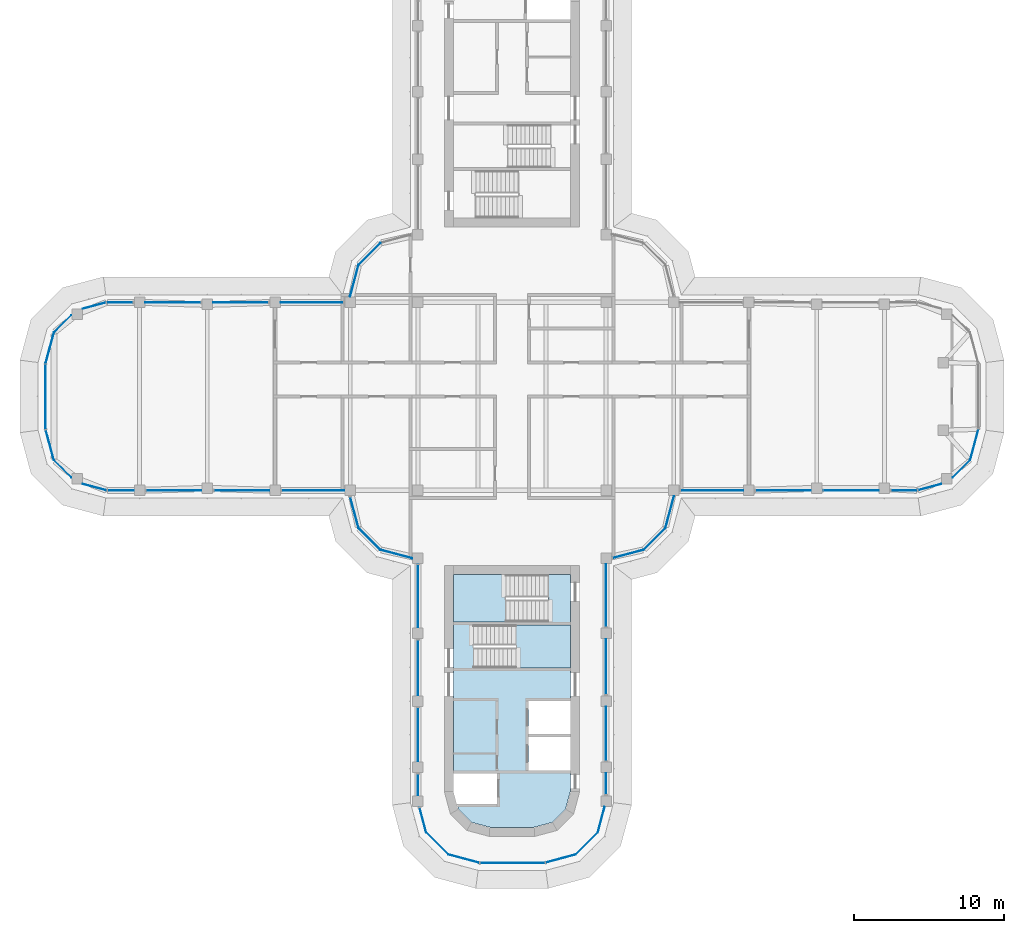
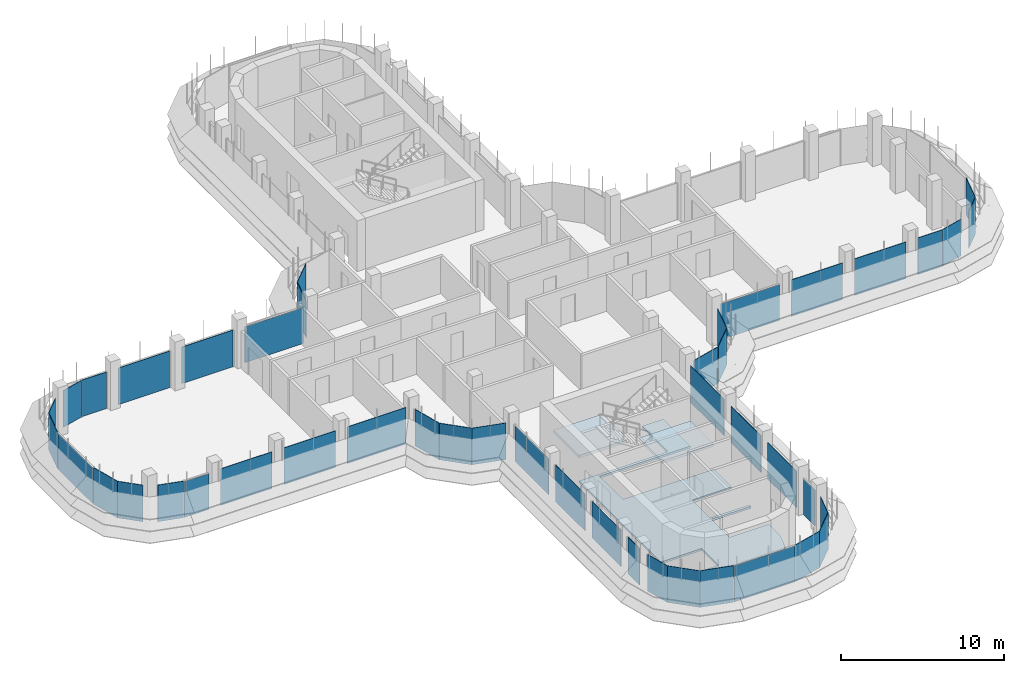
# One storey, part 11 of 18: 45 plates, 3 slabs, 32 elements without a shape of their own.
"""IFC4 building model written with IfcOpenShell, lengths in metres."""

from ifc_helpers import new_model, si_unit, direction, frame, origin, place, context, subcontext, project, spatial, polyline, outline, extrude, source, transform, mapped, material, layer, layer_set, type_object, element, aggregate, save


model = new_model("IFC4")

# Units and contexts
model_context = context("Model", 3, precision=1e-05, world=origin(), true_north=direction((0.0, 1.0)))
body_context = subcontext(model_context, "Body", "Model", "MODEL_VIEW")
ifc_project = project(units=[si_unit("LENGTHUNIT", "METRE"), si_unit("AREAUNIT", "SQUARE_METRE"), si_unit("VOLUMEUNIT", "CUBIC_METRE"), si_unit("PLANEANGLEUNIT", "RADIAN"), si_unit("MASSUNIT", "GRAM", prefix="KILO")], contexts=[model_context])

# Site, building, storey
site_placement = place(None, origin())
site = spatial("IfcSite", under=ifc_project, at=site_placement, CompositionType="ELEMENT")
building_placement = place(site_placement, origin())
building = spatial("IfcBuilding", under=site, at=building_placement, Name="Zarbagh Exchange Tower", CompositionType="ELEMENT")
storey_placement = place(building_placement, frame((0.0, 0.0, 210.60009765625)))
storey = spatial("IfcBuildingStorey", under=building, at=storey_placement, Name="L51", CompositionType="ELEMENT", Elevation=210.60009765625)

# Slab
ifc_material_1 = material(Name="Concrete C40/50", Category="concrete")
ifc_layer_1 = layer(ifc_material_1, 0.14990234375)
ifc_layer_set_1 = layer_set([ifc_layer_1], Name="Core floor slab 150 C40/50")
slab_type_1 = type_object("IfcSlabType", Name="Core floor slab 150 C40/50", PredefinedType="FLOOR", material=ifc_layer_set_1)
slab_1_placement = place(storey_placement, frame((0.0, 0.0, -0.150146484375)))
element("IfcSlab", 1, at=slab_1_placement, inside=storey, type_object=slab_type_1, Name="S17 core S", PredefinedType="FLOOR", context=body_context, shape_type="SweptSolid", body=[
    extrude(outline(polyline([(-2.689453125, -28.31005859375), (-3.56005859375, -27.439453125), (-3.651123046875, -27.10009765625), (-1.0, -27.10009765625), (-1.0, -25.050048828125), (-3.89990234375, -25.050048828125), (-3.89990234375, -15.0), (2.39990234375, -15.0), (2.39990234375, -11.85009765625), (3.89990234375, -11.85009765625), (3.89990234375, -15.199951171875), (-2.550048828125, -15.199951171875), (-2.550048828125, -18.050048828125), (3.89990234375, -18.050048828125), (3.89990234375, -20.25), (1.10009765625, -20.25), (1.10009765625, -22.449951171875), (3.89990234375, -22.449951171875), (3.89990234375, -22.64990234375), (1.10009765625, -22.64990234375), (1.10009765625, -24.85009765625), (3.89990234375, -24.85009765625), (3.89990234375, -26.1708984375), (3.56005859375, -27.439453125), (2.689453125, -28.31005859375), (1.4208984375, -28.64990234375), (-1.4208984375, -28.64990234375), (-2.689453125, -28.31005859375)])), origin(), (0.0, 0.0, 1.0), 0.150146484375),
])

# Stair, slab
stair_type = type_object("IfcStairType", Name="Exit stair two-flight half-turn", PredefinedType="HALF_TURN_STAIR", material=ifc_material_1)
stair_1_placement = place(storey_placement, origin())
stair_1 = element("IfcStair", 2, at=stair_1_placement, inside=storey, type_object=stair_type, Name="exit stair ST3", PredefinedType="HALF_TURN_STAIR")
ifc_layer_2 = layer(ifc_material_1, 0.199951171875)
ifc_layer_set_2 = layer_set([ifc_layer_2], Name="Stair landing 200 mm")
slab_type_2 = type_object("IfcSlabType", Name="Stair landing 200 mm", PredefinedType="LANDING", material=ifc_layer_set_2)
slab_2_placement = place(storey_placement, frame((0.0, 0.0, 1.699951171875)))
slab_2 = element("IfcSlab", 3, at=slab_2_placement, type_object=slab_type_2, Name="ST3 landing 1", PredefinedType="LANDING", context=body_context, shape_type="SweptSolid", body=[
    extrude(outline(polyline([(0.25, -18.050048828125), (3.89990234375, -18.050048828125), (3.89990234375, -15.199951171875), (0.25, -15.199951171875), (0.25, -18.050048828125)])), origin(), (0.0, 0.0, 1.0), 0.199951171875),
])
aggregate(stair_1, [slab_2])

stair_2_placement = place(storey_placement, origin())
stair_2 = element("IfcStair", 4, at=stair_2_placement, inside=storey, type_object=stair_type, Name="exit stair ST4", PredefinedType="HALF_TURN_STAIR")
slab_3_placement = place(storey_placement, frame((0.0, 0.0, 1.699951171875)))
slab_3 = element("IfcSlab", 5, at=slab_3_placement, type_object=slab_type_2, Name="ST4 landing 1", PredefinedType="LANDING", context=body_context, shape_type="SweptSolid", body=[
    extrude(outline(polyline([(-0.39990234375, -11.85009765625), (-3.89990234375, -11.85009765625), (-3.89990234375, -15.0), (-0.39990234375, -15.0), (-0.39990234375, -11.85009765625)])), origin(), (0.0, 0.0, 1.0), 0.199951171875),
])
aggregate(stair_2, [slab_3])

# Curtain wall, plate
ifc_material_2 = material(Name="Anodised aluminium frame and glazing", Category="aluminium")
curtain_wall_type = type_object("IfcCurtainWallType", Name="CWB Ribbon glazing, upper zones", PredefinedType="NOTDEFINED", material=ifc_material_2)
curtain_wall_1_placement = place(storey_placement, origin())
curtain_wall_1 = element("IfcCurtainWall", 6, at=curtain_wall_1_placement, inside=storey, type_object=curtain_wall_type, Name="CWB50 curtain wall", PredefinedType="NOTDEFINED")
ifc_material_3 = material(Name="Low-e double glazed unit, 6+12+6 mm")
ifc_layer_3 = layer(ifc_material_3, 0.031982421875)
ifc_layer_set_3 = layer_set([ifc_layer_3], Name="PAB Glazing panel, Low-e double glazed unit, 6+12+6 mm")
plate_type = type_object("IfcPlateType", Name="PAB Glazing panel, Low-e double glazed unit, 6+12+6 mm", PredefinedType="CURTAIN_PANEL", material=ifc_layer_set_3)
shared_shape_1 = source(origin(), body_context, "Body", "SweptSolid", [
    extrude(outline(polyline([(0.0, -0.01611328125), (2.061279296875, -0.01611328125), (2.061279296875, 0.01611328125), (0.0, 0.01611328125), (0.0, -0.01611328125)])), origin(), (0.0, 0.0, 1.0), 2.75),
])
placement = place(storey_placement, origin())
plate_1 = element("IfcPlate", 7, at=placement, type_object=plate_type, Name="CWB50 glazing panel 1.1", PredefinedType="CURTAIN_PANEL", context=body_context, shape_type="MappedRepresentation", body=[
    mapped(shared_shape_1, transform((4.2412109375, -30.44873046875, 0.0), x_axis=(0.707106781187, 0.707106781187, 0.0), y_axis=(-0.707106781187, 0.707106781187, 0.0), z_axis=(0.0, 0.0, 1.0))),
])
aggregate(curtain_wall_1, [plate_1])

curtain_wall_2_placement = place(storey_placement, origin())
curtain_wall_2 = element("IfcCurtainWall", 8, at=curtain_wall_2_placement, inside=storey, type_object=curtain_wall_type, Name="CWB06 curtain wall", PredefinedType="NOTDEFINED")
plate_2 = element("IfcPlate", 9, at=placement, type_object=plate_type, Name="CWB06 glazing panel 1.1", PredefinedType="CURTAIN_PANEL", context=body_context, shape_type="MappedRepresentation", body=[
    mapped(shared_shape_1, transform((8.7412109375, -10.19873046875, 0.0), x_axis=(0.707106781187, 0.707106781187, 0.0), y_axis=(-0.707106781187, 0.707106781187, 0.0), z_axis=(0.0, 0.0, 1.0))),
])
aggregate(curtain_wall_2, [plate_2])

curtain_wall_3_placement = place(storey_placement, origin())
curtain_wall_3 = element("IfcCurtainWall", 10, at=curtain_wall_3_placement, inside=storey, type_object=curtain_wall_type, Name="CWB30 curtain wall", PredefinedType="NOTDEFINED")
plate_3 = element("IfcPlate", 11, at=placement, type_object=plate_type, Name="CWB30 glazing panel 1.1", PredefinedType="CURTAIN_PANEL", context=body_context, shape_type="MappedRepresentation", body=[
    mapped(shared_shape_1, transform((-8.7412109375, 10.19873046875, 0.0), x_axis=(-0.707106781187, -0.707106781187, 0.0), y_axis=(0.707106781187, -0.707106781187, 0.0), z_axis=(0.0, 0.0, 1.0))),
])
aggregate(curtain_wall_3, [plate_3])

curtain_wall_4_placement = place(storey_placement, origin())
curtain_wall_4 = element("IfcCurtainWall", 12, at=curtain_wall_4_placement, inside=storey, type_object=curtain_wall_type, Name="CWB42 curtain wall", PredefinedType="NOTDEFINED")
plate_4 = element("IfcPlate", 13, at=placement, type_object=plate_type, Name="CWB42 glazing panel 1.1", PredefinedType="CURTAIN_PANEL", context=body_context, shape_type="MappedRepresentation", body=[
    mapped(shared_shape_1, transform((-10.19873046875, -8.7412109375, 0.0), x_axis=(0.707106781187, -0.707106781187, 0.0), y_axis=(0.707106781187, 0.707106781187, 0.0), z_axis=(0.0, 0.0, 1.0))),
])
aggregate(curtain_wall_4, [plate_4])

curtain_wall_5_placement = place(storey_placement, origin())
curtain_wall_5 = element("IfcCurtainWall", 14, at=curtain_wall_5_placement, inside=storey, type_object=curtain_wall_type, Name="CWB55 curtain wall", PredefinedType="NOTDEFINED")
plate_5 = element("IfcPlate", 15, at=placement, type_object=plate_type, Name="CWB55 glazing panel 1.1", PredefinedType="CURTAIN_PANEL", context=body_context, shape_type="MappedRepresentation", body=[
    mapped(shared_shape_1, transform((-5.69873046875, -28.9912109375, 0.0), x_axis=(0.707106781187, -0.707106781187, 0.0), y_axis=(0.707106781187, 0.707106781187, 0.0), z_axis=(0.0, 0.0, 1.0))),
])
aggregate(curtain_wall_5, [plate_5])

curtain_wall_6_placement = place(storey_placement, origin())
curtain_wall_6 = element("IfcCurtainWall", 16, at=curtain_wall_6_placement, inside=storey, type_object=curtain_wall_type, Name="CWB11 curtain wall", PredefinedType="NOTDEFINED")
shared_shape_2 = source(origin(), body_context, "Body", "SweptSolid", [
    extrude(outline(polyline([(0.0, -0.01611328125), (2.129638671875, -0.01611328125), (2.129638671875, 0.01611328125), (0.0, 0.01611328125), (0.0, -0.01611328125)])), origin(), (0.0, 0.0, 1.0), 2.75),
])
plate_6 = element("IfcPlate", 17, at=placement, type_object=plate_type, Name="CWB11 glazing panel 1.1", PredefinedType="CURTAIN_PANEL", context=body_context, shape_type="MappedRepresentation", body=[
    mapped(shared_shape_2, transform((30.44873046875, -4.2412109375, 0.0), x_axis=(0.258824779902, 0.965924289636, 0.0), y_axis=(-0.965924289636, 0.258824779902, 0.0), z_axis=(0.0, 0.0, 1.0))),
])
aggregate(curtain_wall_6, [plate_6])

curtain_wall_7_placement = place(storey_placement, origin())
curtain_wall_7 = element("IfcCurtainWall", 18, at=curtain_wall_7_placement, inside=storey, type_object=curtain_wall_type, Name="CWB61 curtain wall", PredefinedType="NOTDEFINED")
plate_7 = element("IfcPlate", 19, at=placement, type_object=plate_type, Name="CWB61 glazing panel 1.1", PredefinedType="CURTAIN_PANEL", context=body_context, shape_type="MappedRepresentation", body=[
    mapped(shared_shape_2, transform((-30.44873046875, 4.2412109375, 0.0), x_axis=(-0.258824779902, -0.965924289636, 0.0), y_axis=(0.965924289636, -0.258824779902, 0.0), z_axis=(0.0, 0.0, 1.0))),
])
aggregate(curtain_wall_7, [plate_7])

curtain_wall_8_placement = place(storey_placement, origin())
curtain_wall_8 = element("IfcCurtainWall", 20, at=curtain_wall_8_placement, inside=storey, type_object=curtain_wall_type, Name="CWB56 curtain wall", PredefinedType="NOTDEFINED")
plate_8 = element("IfcPlate", 21, at=placement, type_object=plate_type, Name="CWB56 glazing panel 1.1", PredefinedType="CURTAIN_PANEL", context=body_context, shape_type="MappedRepresentation", body=[
    mapped(shared_shape_2, transform((-4.2412109375, -30.44873046875, 0.0), x_axis=(0.965924289636, -0.258824779902, 0.0), y_axis=(0.258824779902, 0.965924289636, 0.0), z_axis=(0.0, 0.0, 1.0))),
])
aggregate(curtain_wall_8, [plate_8])

curtain_wall_9_placement = place(storey_placement, origin())
curtain_wall_9 = element("IfcCurtainWall", 22, at=curtain_wall_9_placement, inside=storey, type_object=curtain_wall_type, Name="CWB52 curtain wall", PredefinedType="NOTDEFINED")
shared_shape_3 = source(origin(), body_context, "Body", "SweptSolid", [
    extrude(outline(polyline([(0.0, -0.01611328125), (3.56005859375, -0.01611328125), (3.56005859375, 0.01611328125), (0.0, 0.01611328125), (0.0, -0.01611328125)])), origin(), (0.0, 0.0, 1.0), 2.75),
])
plate_9 = element("IfcPlate", 23, at=placement, type_object=plate_type, Name="CWB52 glazing panel 2.1", PredefinedType="CURTAIN_PANEL", context=body_context, shape_type="MappedRepresentation", body=[
    mapped(shared_shape_3, transform((6.25, -24.199951171875, 0.0), x_axis=(0.0, 1.0, 0.0), y_axis=(-1.0, 0.0, 0.0), z_axis=(0.0, 0.0, 1.0))),
])

curtain_wall_10_placement = place(storey_placement, origin())
curtain_wall_10 = element("IfcCurtainWall", 24, at=curtain_wall_10_placement, inside=storey, type_object=curtain_wall_type, Name="CWB53 curtain wall", PredefinedType="NOTDEFINED")
plate_10 = element("IfcPlate", 25, at=placement, type_object=plate_type, Name="CWB53 glazing panel 3.1", PredefinedType="CURTAIN_PANEL", context=body_context, shape_type="MappedRepresentation", body=[
    mapped(shared_shape_3, transform((-6.25, -20.699951171875, 0.0), x_axis=(0.0, -1.0, 0.0), y_axis=(1.0, 0.0, 0.0), z_axis=(0.0, 0.0, 1.0))),
])

curtain_wall_11_placement = place(storey_placement, origin())
curtain_wall_11 = element("IfcCurtainWall", 26, at=curtain_wall_11_placement, inside=storey, type_object=curtain_wall_type, Name="CWB66 curtain wall", PredefinedType="NOTDEFINED")
shared_shape_4 = source(origin(), body_context, "Body", "SweptSolid", [
    extrude(outline(polyline([(0.0, -0.01611328125), (4.308349609375, -0.01611328125), (4.308349609375, 0.01611328125), (0.0, 0.01611328125), (0.0, -0.01611328125)])), origin(), (0.0, 0.0, 1.0), 2.68994140625),
])
plate_11 = element("IfcPlate", 27, at=placement, type_object=plate_type, Name="CWB66 glazing panel 1.1", PredefinedType="CURTAIN_PANEL", context=body_context, shape_type="MappedRepresentation", body=[
    mapped(shared_shape_4, transform((-31.0, 2.124267578125, 0.0), x_axis=(0.0, -1.0, 0.0), y_axis=(1.0, 0.0, 0.0), z_axis=(0.0, 0.0, 1.0))),
])
aggregate(curtain_wall_11, [plate_11])

curtain_wall_12_placement = place(storey_placement, origin())
curtain_wall_12 = element("IfcCurtainWall", 28, at=curtain_wall_12_placement, inside=storey, type_object=curtain_wall_type, Name="CWB57 curtain wall", PredefinedType="NOTDEFINED")
plate_12 = element("IfcPlate", 29, at=placement, type_object=plate_type, Name="CWB57 glazing panel 1.1", PredefinedType="CURTAIN_PANEL", context=body_context, shape_type="MappedRepresentation", body=[
    mapped(shared_shape_4, transform((-2.124267578125, -31.0, 0.0), x_axis=(1.0, 0.0, 0.0), y_axis=(0.0, 1.0, 0.0), z_axis=(0.0, 0.0, 1.0))),
])
aggregate(curtain_wall_12, [plate_12])

curtain_wall_13_placement = place(storey_placement, origin())
curtain_wall_13 = element("IfcCurtainWall", 30, at=curtain_wall_13_placement, inside=storey, type_object=curtain_wall_type, Name="CWB49 curtain wall", PredefinedType="NOTDEFINED")
shared_shape_5 = source(origin(), body_context, "Body", "SweptSolid", [
    extrude(outline(polyline([(0.0, -0.01611328125), (2.069580078125, -0.01611328125), (2.069580078125, 0.01611328125), (0.0, 0.01611328125), (0.0, -0.01611328125)])), origin(), (0.0, 0.0, 1.0), 2.75),
])
plate_13 = element("IfcPlate", 31, at=placement, type_object=plate_type, Name="CWB49 glazing panel 1.1", PredefinedType="CURTAIN_PANEL", context=body_context, shape_type="MappedRepresentation", body=[
    mapped(shared_shape_5, transform((2.2421875, -30.984375, 0.0), x_axis=(0.965924289636, 0.258824779902, 0.0), y_axis=(-0.258824779902, 0.965924289636, 0.0), z_axis=(0.0, 0.0, 1.0))),
])
aggregate(curtain_wall_13, [plate_13])

curtain_wall_14_placement = place(storey_placement, origin())
curtain_wall_14 = element("IfcCurtainWall", 32, at=curtain_wall_14_placement, inside=storey, type_object=curtain_wall_type, Name="CWB62 curtain wall", PredefinedType="NOTDEFINED")
plate_14 = element("IfcPlate", 33, at=placement, type_object=plate_type, Name="CWB62 glazing panel 1.1", PredefinedType="CURTAIN_PANEL", context=body_context, shape_type="MappedRepresentation", body=[
    mapped(shared_shape_5, transform((-30.984375, -2.2421875, 0.0), x_axis=(0.258824779902, -0.965924289636, 0.0), y_axis=(0.965924289636, 0.258824779902, 0.0), z_axis=(0.0, 0.0, 1.0))),
])
aggregate(curtain_wall_14, [plate_14])

curtain_wall_15_placement = place(storey_placement, origin())
curtain_wall_15 = element("IfcCurtainWall", 34, at=curtain_wall_15_placement, inside=storey, type_object=curtain_wall_type, Name="CWB51 curtain wall", PredefinedType="NOTDEFINED")
shared_shape_6 = source(origin(), body_context, "Body", "SweptSolid", [
    extrude(outline(polyline([(0.0, -0.01611328125), (1.76123046875, -0.01611328125), (1.76123046875, 0.01611328125), (0.0, 0.01611328125), (0.0, -0.01611328125)])), origin(), (0.0, 0.0, 1.0), 2.75),
])
plate_15 = element("IfcPlate", 35, at=placement, type_object=plate_type, Name="CWB51 glazing panel 1.1", PredefinedType="CURTAIN_PANEL", context=body_context, shape_type="MappedRepresentation", body=[
    mapped(shared_shape_6, transform((5.69873046875, -28.9912109375, 0.0), x_axis=(0.258824779902, 0.965924289636, 0.0), y_axis=(-0.965924289636, 0.258824779902, 0.0), z_axis=(0.0, 0.0, 1.0))),
])
aggregate(curtain_wall_15, [plate_15])

# Plate
shared_shape_7 = source(origin(), body_context, "Body", "SweptSolid", [
    extrude(outline(polyline([(0.0, -0.01611328125), (1.409912109375, -0.01611328125), (1.409912109375, 0.01611328125), (0.0, 0.01611328125), (0.0, -0.01611328125)])), origin(), (0.0, 0.0, 1.0), 2.68994140625),
])
plate_16 = element("IfcPlate", 36, at=placement, type_object=plate_type, Name="CWB52 glazing panel 1.1", PredefinedType="CURTAIN_PANEL", context=body_context, shape_type="MappedRepresentation", body=[
    mapped(shared_shape_7, transform((6.25, -26.449951171875, 0.0), x_axis=(0.0, 1.0, 0.0), y_axis=(-1.0, 0.0, 0.0), z_axis=(0.0, 0.0, 1.0))),
])

shared_shape_8 = source(origin(), body_context, "Body", "SweptSolid", [
    extrude(outline(polyline([(0.0, -0.01611328125), (3.659912109375, -0.01611328125), (3.659912109375, 0.01611328125), (0.0, 0.01611328125), (0.0, -0.01611328125)])), origin(), (0.0, 0.0, 1.0), 2.75),
])
plate_17 = element("IfcPlate", 37, at=placement, type_object=plate_type, Name="CWB52 glazing panel 3.1", PredefinedType="CURTAIN_PANEL", context=body_context, shape_type="MappedRepresentation", body=[
    mapped(shared_shape_8, transform((6.25, -19.800048828125, 0.0), x_axis=(0.0, 1.0, 0.0), y_axis=(-1.0, 0.0, 0.0), z_axis=(0.0, 0.0, 1.0))),
])

# Curtain wall, plates
curtain_wall_16_placement = place(storey_placement, origin())
curtain_wall_16 = element("IfcCurtainWall", 38, at=curtain_wall_16_placement, inside=storey, type_object=curtain_wall_type, Name="CWB08 curtain wall", PredefinedType="NOTDEFINED")
plate_18 = element("IfcPlate", 39, at=placement, type_object=plate_type, Name="CWB08 glazing panel 2.1", PredefinedType="CURTAIN_PANEL", context=body_context, shape_type="MappedRepresentation", body=[
    mapped(shared_shape_8, transform((16.199951171875, -6.25, 0.0), x_axis=(1.0, 0.0, 0.0), y_axis=(0.0, 1.0, 0.0), z_axis=(0.0, 0.0, 1.0))),
])
plate_19 = element("IfcPlate", 40, at=placement, type_object=plate_type, Name="CWB08 glazing panel 3.1", PredefinedType="CURTAIN_PANEL", context=body_context, shape_type="MappedRepresentation", body=[
    mapped(shared_shape_8, transform((20.699951171875, -6.25, 0.0), x_axis=(1.0, 0.0, 0.0), y_axis=(0.0, 1.0, 0.0), z_axis=(0.0, 0.0, 1.0))),
])

curtain_wall_17_placement = place(storey_placement, origin())
curtain_wall_17 = element("IfcCurtainWall", 41, at=curtain_wall_17_placement, inside=storey, type_object=curtain_wall_type, Name="CWB58 curtain wall", PredefinedType="NOTDEFINED")
plate_20 = element("IfcPlate", 42, at=placement, type_object=plate_type, Name="CWB58 glazing panel 2.1", PredefinedType="CURTAIN_PANEL", context=body_context, shape_type="MappedRepresentation", body=[
    mapped(shared_shape_8, transform((-16.199951171875, 6.25, 0.0), x_axis=(-1.0, 0.0, 0.0), y_axis=(0.0, -1.0, 0.0), z_axis=(0.0, 0.0, 1.0))),
])
plate_21 = element("IfcPlate", 43, at=placement, type_object=plate_type, Name="CWB58 glazing panel 3.1", PredefinedType="CURTAIN_PANEL", context=body_context, shape_type="MappedRepresentation", body=[
    mapped(shared_shape_8, transform((-20.699951171875, 6.25, 0.0), x_axis=(-1.0, 0.0, 0.0), y_axis=(0.0, -1.0, 0.0), z_axis=(0.0, 0.0, 1.0))),
])

curtain_wall_18_placement = place(storey_placement, origin())
curtain_wall_18 = element("IfcCurtainWall", 44, at=curtain_wall_18_placement, inside=storey, type_object=curtain_wall_type, Name="CWB65 curtain wall", PredefinedType="NOTDEFINED")
plate_22 = element("IfcPlate", 45, at=placement, type_object=plate_type, Name="CWB65 glazing panel 2.1", PredefinedType="CURTAIN_PANEL", context=body_context, shape_type="MappedRepresentation", body=[
    mapped(shared_shape_8, transform((-24.300048828125, -6.25, 0.0), x_axis=(1.0, 0.0, 0.0), y_axis=(0.0, 1.0, 0.0), z_axis=(0.0, 0.0, 1.0))),
])
plate_23 = element("IfcPlate", 46, at=placement, type_object=plate_type, Name="CWB65 glazing panel 3.1", PredefinedType="CURTAIN_PANEL", context=body_context, shape_type="MappedRepresentation", body=[
    mapped(shared_shape_8, transform((-19.800048828125, -6.25, 0.0), x_axis=(1.0, 0.0, 0.0), y_axis=(0.0, 1.0, 0.0), z_axis=(0.0, 0.0, 1.0))),
])

# Plate
plate_24 = element("IfcPlate", 47, at=placement, type_object=plate_type, Name="CWB53 glazing panel 2.1", PredefinedType="CURTAIN_PANEL", context=body_context, shape_type="MappedRepresentation", body=[
    mapped(shared_shape_8, transform((-6.25, -16.199951171875, 0.0), x_axis=(0.0, -1.0, 0.0), y_axis=(1.0, 0.0, 0.0), z_axis=(0.0, 0.0, 1.0))),
])

shared_shape_9 = source(origin(), body_context, "Body", "SweptSolid", [
    extrude(outline(polyline([(0.0, -0.01611328125), (4.159912109375, -0.01611328125), (4.159912109375, 0.01611328125), (0.0, 0.01611328125), (0.0, -0.01611328125)])), origin(), (0.0, 0.0, 1.0), 2.75),
])
plate_25 = element("IfcPlate", 48, at=placement, type_object=plate_type, Name="CWB52 glazing panel 4.1", PredefinedType="CURTAIN_PANEL", context=body_context, shape_type="MappedRepresentation", body=[
    mapped(shared_shape_9, transform((6.25, -15.300048828125, 0.0), x_axis=(0.0, 1.0, 0.0), y_axis=(-1.0, 0.0, 0.0), z_axis=(0.0, 0.0, 1.0))),
])

aggregate(curtain_wall_9, [plate_16, plate_9, plate_17, plate_25])

plate_26 = element("IfcPlate", 49, at=placement, type_object=plate_type, Name="CWB65 glazing panel 4.1", PredefinedType="CURTAIN_PANEL", context=body_context, shape_type="MappedRepresentation", body=[
    mapped(shared_shape_9, transform((-15.300048828125, -6.25, 0.0), x_axis=(1.0, 0.0, 0.0), y_axis=(0.0, 1.0, 0.0), z_axis=(0.0, 0.0, 1.0))),
])

# Curtain wall, plate
curtain_wall_19_placement = place(storey_placement, origin())
curtain_wall_19 = element("IfcCurtainWall", 50, at=curtain_wall_19_placement, inside=storey, type_object=curtain_wall_type, Name="CWB05 curtain wall", PredefinedType="NOTDEFINED")
shared_shape_10 = source(origin(), body_context, "Body", "SweptSolid", [
    extrude(outline(polyline([(0.0, -0.01611328125), (2.115234375, -0.01611328125), (2.115234375, 0.01611328125), (0.0, 0.01611328125), (0.0, -0.01611328125)])), origin(), (0.0, 0.0, 1.0), 2.75),
])
plate_27 = element("IfcPlate", 51, at=placement, type_object=plate_type, Name="CWB05 glazing panel 1.1", PredefinedType="CURTAIN_PANEL", context=body_context, shape_type="MappedRepresentation", body=[
    mapped(shared_shape_10, transform((6.697998046875, -10.746337890625, 0.0), x_axis=(0.965924289636, 0.258824779902, 0.0), y_axis=(-0.258824779902, 0.965924289636, 0.0), z_axis=(0.0, 0.0, 1.0))),
])
aggregate(curtain_wall_19, [plate_27])

curtain_wall_20_placement = place(storey_placement, origin())
curtain_wall_20 = element("IfcCurtainWall", 52, at=curtain_wall_20_placement, inside=storey, type_object=curtain_wall_type, Name="CWB41 curtain wall", PredefinedType="NOTDEFINED")
plate_28 = element("IfcPlate", 53, at=placement, type_object=plate_type, Name="CWB41 glazing panel 1.1", PredefinedType="CURTAIN_PANEL", context=body_context, shape_type="MappedRepresentation", body=[
    mapped(shared_shape_10, transform((-10.746337890625, -6.697998046875, 0.0), x_axis=(0.258824779902, -0.965924289636, 0.0), y_axis=(0.965924289636, 0.258824779902, 0.0), z_axis=(0.0, 0.0, 1.0))),
])
aggregate(curtain_wall_20, [plate_28])

curtain_wall_21_placement = place(storey_placement, origin())
curtain_wall_21 = element("IfcCurtainWall", 54, at=curtain_wall_21_placement, inside=storey, type_object=curtain_wall_type, Name="CWB07 curtain wall", PredefinedType="NOTDEFINED")
shared_shape_11 = source(origin(), body_context, "Body", "SweptSolid", [
    extrude(outline(polyline([(0.0, -0.01611328125), (2.17529296875, -0.01611328125), (2.17529296875, 0.01611328125), (0.0, 0.01611328125), (0.0, -0.01611328125)])), origin(), (0.0, 0.0, 1.0), 2.75),
])
plate_29 = element("IfcPlate", 55, at=placement, type_object=plate_type, Name="CWB07 glazing panel 1.1", PredefinedType="CURTAIN_PANEL", context=body_context, shape_type="MappedRepresentation", body=[
    mapped(shared_shape_11, transform((10.19873046875, -8.7412109375, 0.0), x_axis=(0.258824779902, 0.965924289636, 0.0), y_axis=(-0.965924289636, 0.258824779902, 0.0), z_axis=(0.0, 0.0, 1.0))),
])
aggregate(curtain_wall_21, [plate_29])

curtain_wall_22_placement = place(storey_placement, origin())
curtain_wall_22 = element("IfcCurtainWall", 56, at=curtain_wall_22_placement, inside=storey, type_object=curtain_wall_type, Name="CWB31 curtain wall", PredefinedType="NOTDEFINED")
plate_30 = element("IfcPlate", 57, at=placement, type_object=plate_type, Name="CWB31 glazing panel 1.1", PredefinedType="CURTAIN_PANEL", context=body_context, shape_type="MappedRepresentation", body=[
    mapped(shared_shape_11, transform((-10.19873046875, 8.7412109375, 0.0), x_axis=(-0.258824779902, -0.965924289636, 0.0), y_axis=(0.965924289636, -0.258824779902, 0.0), z_axis=(0.0, 0.0, 1.0))),
])
aggregate(curtain_wall_22, [plate_30])

curtain_wall_23_placement = place(storey_placement, origin())
curtain_wall_23 = element("IfcCurtainWall", 58, at=curtain_wall_23_placement, inside=storey, type_object=curtain_wall_type, Name="CWB43 curtain wall", PredefinedType="NOTDEFINED")
plate_31 = element("IfcPlate", 59, at=placement, type_object=plate_type, Name="CWB43 glazing panel 1.1", PredefinedType="CURTAIN_PANEL", context=body_context, shape_type="MappedRepresentation", body=[
    mapped(shared_shape_11, transform((-8.7412109375, -10.19873046875, 0.0), x_axis=(0.965924289636, -0.258824779902, 0.0), y_axis=(0.258824779902, 0.965924289636, 0.0), z_axis=(0.0, 0.0, 1.0))),
])
aggregate(curtain_wall_23, [plate_31])

# Plate
shared_shape_12 = source(origin(), body_context, "Body", "SweptSolid", [
    extrude(outline(polyline([(0.0, -0.01611328125), (4.159912109375, -0.01611328125), (4.159912109375, 0.01611328125), (0.0, 0.01611328125), (0.0, -0.01611328125)])), origin(), (0.0, 0.0, 1.0), 2.68994140625),
])
plate_32 = element("IfcPlate", 60, at=placement, type_object=plate_type, Name="CWB08 glazing panel 1.1", PredefinedType="CURTAIN_PANEL", context=body_context, shape_type="MappedRepresentation", body=[
    mapped(shared_shape_12, transform((11.199951171875, -6.25, 0.0), x_axis=(1.0, 0.0, 0.0), y_axis=(0.0, 1.0, 0.0), z_axis=(0.0, 0.0, 1.0))),
])

plate_33 = element("IfcPlate", 61, at=placement, type_object=plate_type, Name="CWB58 glazing panel 1.1", PredefinedType="CURTAIN_PANEL", context=body_context, shape_type="MappedRepresentation", body=[
    mapped(shared_shape_12, transform((-11.199951171875, 6.25, 0.0), x_axis=(-1.0, 0.0, 0.0), y_axis=(0.0, -1.0, 0.0), z_axis=(0.0, 0.0, 1.0))),
])

plate_34 = element("IfcPlate", 62, at=placement, type_object=plate_type, Name="CWB53 glazing panel 1.1", PredefinedType="CURTAIN_PANEL", context=body_context, shape_type="MappedRepresentation", body=[
    mapped(shared_shape_12, transform((-6.25, -11.199951171875, 0.0), x_axis=(0.0, -1.0, 0.0), y_axis=(1.0, 0.0, 0.0), z_axis=(0.0, 0.0, 1.0))),
])

shared_shape_13 = source(origin(), body_context, "Body", "SweptSolid", [
    extrude(outline(polyline([(0.0, -0.01611328125), (1.734130859375, -0.01611328125), (1.734130859375, 0.01611328125), (0.0, 0.01611328125), (0.0, -0.01611328125)])), origin(), (0.0, 0.0, 1.0), 2.75),
])
plate_35 = element("IfcPlate", 63, at=placement, type_object=plate_type, Name="CWB08 glazing panel 4.1", PredefinedType="CURTAIN_PANEL", context=body_context, shape_type="MappedRepresentation", body=[
    mapped(shared_shape_13, transform((25.199951171875, -6.25, 0.0), x_axis=(1.0, 0.0, 0.0), y_axis=(0.0, 1.0, 0.0), z_axis=(0.0, 0.0, 1.0))),
])

aggregate(curtain_wall_16, [plate_32, plate_18, plate_19, plate_35])

plate_36 = element("IfcPlate", 64, at=placement, type_object=plate_type, Name="CWB58 glazing panel 4.1", PredefinedType="CURTAIN_PANEL", context=body_context, shape_type="MappedRepresentation", body=[
    mapped(shared_shape_13, transform((-25.199951171875, 6.25, 0.0), x_axis=(-1.0, 0.0, 0.0), y_axis=(0.0, -1.0, 0.0), z_axis=(0.0, 0.0, 1.0))),
])

aggregate(curtain_wall_17, [plate_33, plate_20, plate_21, plate_36])

# Curtain wall, plate
curtain_wall_24_placement = place(storey_placement, origin())
curtain_wall_24 = element("IfcCurtainWall", 65, at=curtain_wall_24_placement, inside=storey, type_object=curtain_wall_type, Name="CWB09 curtain wall", PredefinedType="NOTDEFINED")
shared_shape_14 = source(origin(), body_context, "Body", "SweptSolid", [
    extrude(outline(polyline([(0.0, -0.01611328125), (1.57958984375, -0.01611328125), (1.57958984375, 0.01611328125), (0.0, 0.01611328125), (0.0, -0.01611328125)])), origin(), (0.0, 0.0, 1.0), 2.75),
])
plate_37 = element("IfcPlate", 66, at=placement, type_object=plate_type, Name="CWB09 glazing panel 1.1", PredefinedType="CURTAIN_PANEL", context=body_context, shape_type="MappedRepresentation", body=[
    mapped(shared_shape_14, transform((26.9921875, -6.234375, 0.0), x_axis=(0.965924289636, 0.258824779902, 0.0), y_axis=(-0.258824779902, 0.965924289636, 0.0), z_axis=(0.0, 0.0, 1.0))),
])
aggregate(curtain_wall_24, [plate_37])

curtain_wall_25_placement = place(storey_placement, origin())
curtain_wall_25 = element("IfcCurtainWall", 67, at=curtain_wall_25_placement, inside=storey, type_object=curtain_wall_type, Name="CWB59 curtain wall", PredefinedType="NOTDEFINED")
plate_38 = element("IfcPlate", 68, at=placement, type_object=plate_type, Name="CWB59 glazing panel 1.1", PredefinedType="CURTAIN_PANEL", context=body_context, shape_type="MappedRepresentation", body=[
    mapped(shared_shape_14, transform((-26.9921875, 6.234375, 0.0), x_axis=(-0.965924289636, -0.258824779902, 0.0), y_axis=(0.258824779902, -0.965924289636, 0.0), z_axis=(0.0, 0.0, 1.0))),
])
aggregate(curtain_wall_25, [plate_38])

curtain_wall_26_placement = place(storey_placement, origin())
curtain_wall_26 = element("IfcCurtainWall", 69, at=curtain_wall_26_placement, inside=storey, type_object=curtain_wall_type, Name="CWB10 curtain wall", PredefinedType="NOTDEFINED")
shared_shape_15 = source(origin(), body_context, "Body", "SweptSolid", [
    extrude(outline(polyline([(0.0, -0.01611328125), (1.62744140625, -0.01611328125), (1.62744140625, 0.01611328125), (0.0, 0.01611328125), (0.0, -0.01611328125)])), origin(), (0.0, 0.0, 1.0), 2.75),
])
plate_39 = element("IfcPlate", 70, at=placement, type_object=plate_type, Name="CWB10 glazing panel 1.1", PredefinedType="CURTAIN_PANEL", context=body_context, shape_type="MappedRepresentation", body=[
    mapped(shared_shape_15, transform((29.298095703125, -5.39208984375, 0.0), x_axis=(0.707106781187, 0.707106781187, 0.0), y_axis=(-0.707106781187, 0.707106781187, 0.0), z_axis=(0.0, 0.0, 1.0))),
])
aggregate(curtain_wall_26, [plate_39])

curtain_wall_27_placement = place(storey_placement, origin())
curtain_wall_27 = element("IfcCurtainWall", 71, at=curtain_wall_27_placement, inside=storey, type_object=curtain_wall_type, Name="CWB60 curtain wall", PredefinedType="NOTDEFINED")
plate_40 = element("IfcPlate", 72, at=placement, type_object=plate_type, Name="CWB60 glazing panel 1.1", PredefinedType="CURTAIN_PANEL", context=body_context, shape_type="MappedRepresentation", body=[
    mapped(shared_shape_15, transform((-29.298095703125, 5.39208984375, 0.0), x_axis=(-0.707106781187, -0.707106781187, 0.0), y_axis=(0.707106781187, -0.707106781187, 0.0), z_axis=(0.0, 0.0, 1.0))),
])
aggregate(curtain_wall_27, [plate_40])

curtain_wall_28_placement = place(storey_placement, origin())
curtain_wall_28 = element("IfcCurtainWall", 73, at=curtain_wall_28_placement, inside=storey, type_object=curtain_wall_type, Name="CWB63 curtain wall", PredefinedType="NOTDEFINED")
plate_41 = element("IfcPlate", 74, at=placement, type_object=plate_type, Name="CWB63 glazing panel 1.1", PredefinedType="CURTAIN_PANEL", context=body_context, shape_type="MappedRepresentation", body=[
    mapped(shared_shape_15, transform((-30.44873046875, -4.2412109375, 0.0), x_axis=(0.707106781187, -0.707106781187, 0.0), y_axis=(0.707106781187, 0.707106781187, 0.0), z_axis=(0.0, 0.0, 1.0))),
])
aggregate(curtain_wall_28, [plate_41])

curtain_wall_29_placement = place(storey_placement, origin())
curtain_wall_29 = element("IfcCurtainWall", 75, at=curtain_wall_29_placement, inside=storey, type_object=curtain_wall_type, Name="CWB64 curtain wall", PredefinedType="NOTDEFINED")
shared_shape_16 = source(origin(), body_context, "Body", "SweptSolid", [
    extrude(outline(polyline([(0.0, -0.01611328125), (1.6396484375, -0.01611328125), (1.6396484375, 0.01611328125), (0.0, 0.01611328125), (0.0, -0.01611328125)])), origin(), (0.0, 0.0, 1.0), 2.75),
])
plate_42 = element("IfcPlate", 76, at=placement, type_object=plate_type, Name="CWB64 glazing panel 1.1", PredefinedType="CURTAIN_PANEL", context=body_context, shape_type="MappedRepresentation", body=[
    mapped(shared_shape_16, transform((-28.51806640625, -5.82568359375, 0.0), x_axis=(0.965924289636, -0.258824779902, 0.0), y_axis=(0.258824779902, 0.965924289636, 0.0), z_axis=(0.0, 0.0, 1.0))),
])
aggregate(curtain_wall_29, [plate_42])

# Plate
shared_shape_17 = source(origin(), body_context, "Body", "SweptSolid", [
    extrude(outline(polyline([(0.0, -0.01611328125), (1.734130859375, -0.01611328125), (1.734130859375, 0.01611328125), (0.0, 0.01611328125), (0.0, -0.01611328125)])), origin(), (0.0, 0.0, 1.0), 2.68994140625),
])
plate_43 = element("IfcPlate", 77, at=placement, type_object=plate_type, Name="CWB65 glazing panel 1.1", PredefinedType="CURTAIN_PANEL", context=body_context, shape_type="MappedRepresentation", body=[
    mapped(shared_shape_17, transform((-26.874267578125, -6.25, 0.0), x_axis=(1.0, 0.0, 0.0), y_axis=(0.0, 1.0, 0.0), z_axis=(0.0, 0.0, 1.0))),
])

aggregate(curtain_wall_18, [plate_43, plate_22, plate_23, plate_26])

shared_shape_18 = source(origin(), body_context, "Body", "SweptSolid", [
    extrude(outline(polyline([(0.0, -0.01611328125), (1.409912109375, -0.01611328125), (1.409912109375, 0.01611328125), (0.0, 0.01611328125), (0.0, -0.01611328125)])), origin(), (0.0, 0.0, 1.0), 2.75),
])
plate_44 = element("IfcPlate", 78, at=placement, type_object=plate_type, Name="CWB53 glazing panel 4.1", PredefinedType="CURTAIN_PANEL", context=body_context, shape_type="MappedRepresentation", body=[
    mapped(shared_shape_18, transform((-6.25, -25.10009765625, 0.0), x_axis=(0.0, -1.0, 0.0), y_axis=(1.0, 0.0, 0.0), z_axis=(0.0, 0.0, 1.0))),
])

aggregate(curtain_wall_10, [plate_34, plate_24, plate_10, plate_44])

# Curtain wall, plate
curtain_wall_30_placement = place(storey_placement, origin())
curtain_wall_30 = element("IfcCurtainWall", 79, at=curtain_wall_30_placement, inside=storey, type_object=curtain_wall_type, Name="CWB54 curtain wall", PredefinedType="NOTDEFINED")
shared_shape_19 = source(origin(), body_context, "Body", "SweptSolid", [
    extrude(outline(polyline([(0.0, -0.01611328125), (1.701171875, -0.01611328125), (1.701171875, 0.01611328125), (0.0, 0.01611328125), (0.0, -0.01611328125)])), origin(), (0.0, 0.0, 1.0), 2.75),
])
plate_45 = element("IfcPlate", 80, at=placement, type_object=plate_type, Name="CWB54 glazing panel 1.1", PredefinedType="CURTAIN_PANEL", context=body_context, shape_type="MappedRepresentation", body=[
    mapped(shared_shape_19, transform((-6.13916015625, -27.347900390625, 0.0), x_axis=(0.258824779902, -0.965924289636, 0.0), y_axis=(0.965924289636, 0.258824779902, 0.0), z_axis=(0.0, 0.0, 1.0))),
])
aggregate(curtain_wall_30, [plate_45])

save(model, "model.ifc")
